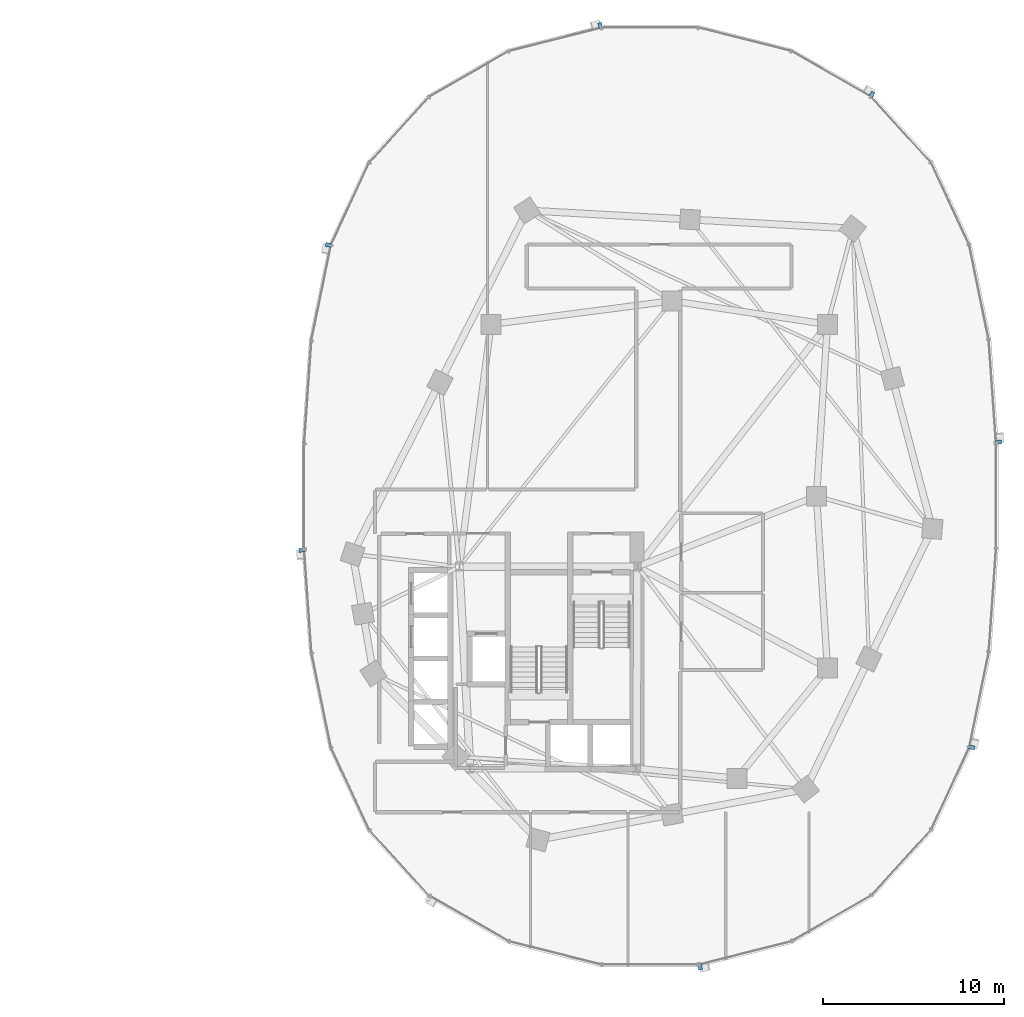
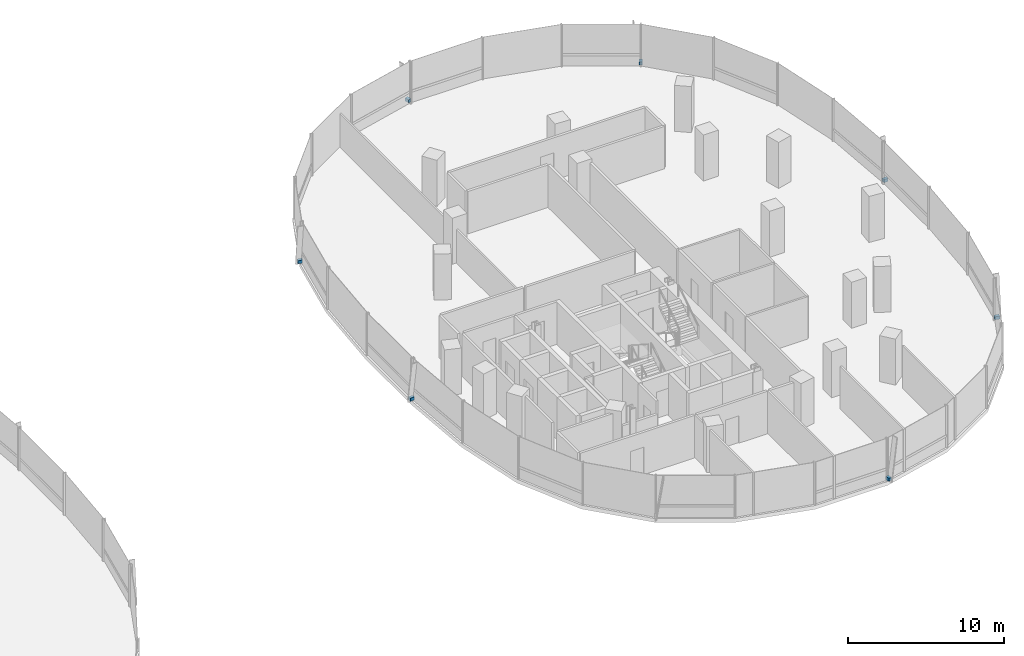
# One storey, part 15 of 20: 7 discrete accessories.
"""IFC4 building model written with IfcOpenShell, lengths in metres."""

from ifc_helpers import new_model, si_unit, direction, frame, origin, origin_2d, place, context, subcontext, project, spatial, rectangle, extrude, material, type_object, element, save


model = new_model("IFC4")

# Units and contexts
model_context = context("Model", 3, precision=1e-05, world=origin(), true_north=direction((0.0, 1.0)))
body_context = subcontext(model_context, "Body", "Model", "MODEL_VIEW")
ifc_project = project(units=[si_unit("LENGTHUNIT", "METRE"), si_unit("AREAUNIT", "SQUARE_METRE"), si_unit("VOLUMEUNIT", "CUBIC_METRE"), si_unit("PLANEANGLEUNIT", "RADIAN"), si_unit("MASSUNIT", "GRAM", prefix="KILO"), si_unit("THERMODYNAMICTEMPERATUREUNIT", "KELVIN"), si_unit("POWERUNIT", "WATT")], contexts=[model_context])

# Site, building, storey
site_placement = place(None, origin())
site = spatial("IfcSite", under=ifc_project, at=site_placement, CompositionType="ELEMENT")
building_placement = place(site_placement, origin())
building = spatial("IfcBuilding", under=site, at=building_placement, Name="Cundina Bronze Exchange", CompositionType="ELEMENT")
storey_placement = place(building_placement, frame((0.0, 0.0, 128.60009765625)))
storey = spatial("IfcBuildingStorey", under=building, at=storey_placement, Name="L33", CompositionType="ELEMENT", Elevation=128.60009765625)

# Discrete accessories
ifc_material = material(Name="Anodised Bronze Aluminium 6063-T6", Category="aluminium")
discrete_accessory_type = type_object("IfcDiscreteAccessoryType", Name="ACC-BRK-FIN", PredefinedType="BRACKET", material=ifc_material)
for number, where, z_axis, x_axis, name in (
    (1, (51.264404296875, 2.986083984375, 0.10009765625), (0.0, 0.0, 1.0), (-0.070278787473, 0.997527389113, 0.0), "L33 Fin Support Bracket 1"),
    (2, (44.259521484375, 22.21875, 0.10009765625), (0.0, 0.0, 1.0), (-0.867105478933, 0.498124571171, 0.0), "L33 Fin Support Bracket 5"),
    (3, (29.23974609375, 26.03173828125, 0.10009765625), (0.0, 0.0, 1.0), (-0.969488149345, -0.245138182011, 0.0), "L33 Fin Support Bracket 1"),
    (4, (14.211669921875, 13.8896484375, 0.10009765625), (0.0, 0.0, 1.0), (-0.201419845156, -0.979505000486, 0.0), "L33 Fin Support Bracket 5"),
    (5, (12.735595703125, -2.986083984375, 0.10009765625), (0.0, 0.0, 1.0), (0.070278787473, -0.997527389113, 0.0), "L33 Fin Support Bracket 1"),
    (6, (34.76025390625, -26.03173828125, 0.10009765625), (0.0, 0.0, 1.0), (0.969488149345, 0.245138182011, 0.0), "L33 Fin Support Bracket 1"),
    (7, (49.788330078125, -13.8896484375, 0.10009765625), (0.0, 0.0, 1.0), (0.201419845156, 0.979505000486, 0.0), "L33 Fin Support Bracket 5"),
):
    element("IfcDiscreteAccessory", number, at=place(storey_placement, frame(where, z_axis=z_axis, x_axis=x_axis)), inside=storey, type_object=discrete_accessory_type, Name=name, PredefinedType="BRACKET", context=body_context, shape_type="SweptSolid", body=[
        extrude(rectangle(XDim=0.219970703125, YDim=0.320068359375, at=origin_2d()), origin(), (0.0, 0.0, 1.0), 0.239990234375),
    ])

save(model, "model.ifc")
